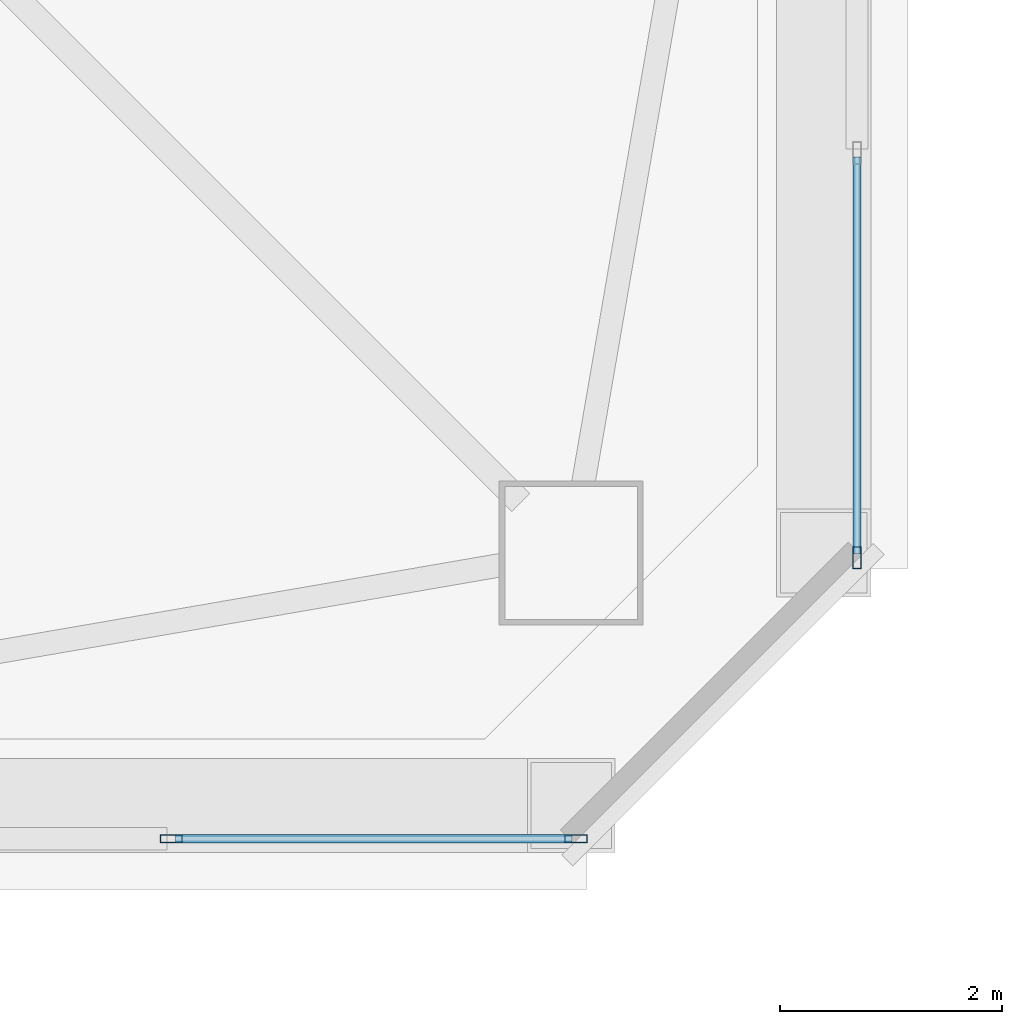
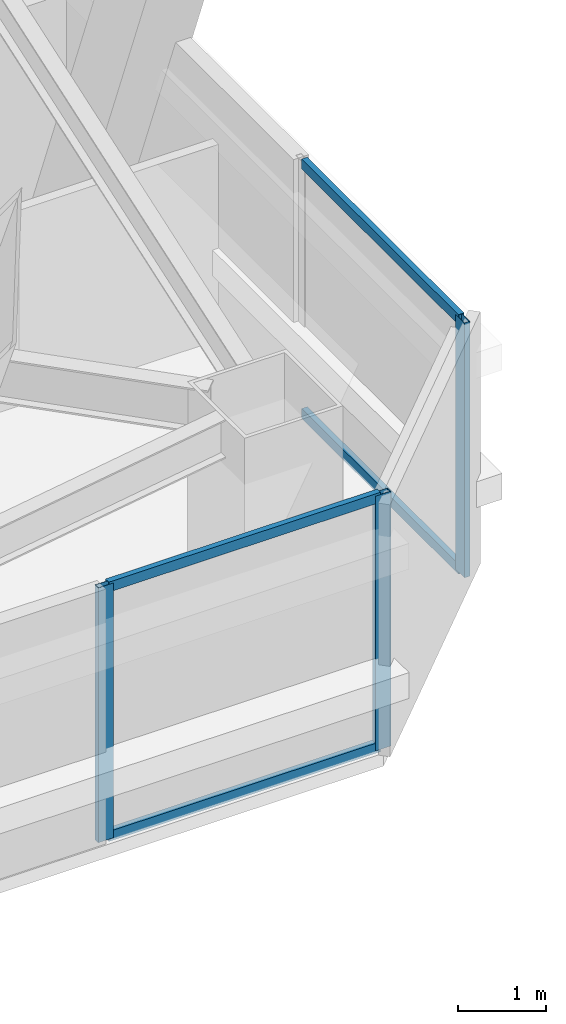
# One storey, part 12 of 54: 7 members, 2 elements without a shape of their own.
"""IFC4 building model written with IfcOpenShell, lengths in metres."""

from ifc_helpers import new_model, si_unit, direction, frame, origin, origin_2d, place, context, subcontext, project, spatial, hollow_rectangle, extrude, material, material_profile, profile_set, type_object, element, aggregate, save


model = new_model("IFC4")

# Units and contexts
model_context = context("Model", 3, precision=1e-05, world=origin(), true_north=direction((0.0, 1.0)))
body_context = subcontext(model_context, "Body", "Model", "MODEL_VIEW")
ifc_project = project(units=[si_unit("LENGTHUNIT", "METRE"), si_unit("AREAUNIT", "SQUARE_METRE"), si_unit("VOLUMEUNIT", "CUBIC_METRE"), si_unit("PLANEANGLEUNIT", "RADIAN"), si_unit("MASSUNIT", "GRAM", prefix="KILO")], contexts=[model_context])

# Site, building, storey
site_placement = place(None, origin())
site = spatial("IfcSite", under=ifc_project, at=site_placement, CompositionType="ELEMENT")
building_placement = place(site_placement, origin())
building = spatial("IfcBuilding", under=site, at=building_placement, Name="Tashvorn Skyway Center", CompositionType="ELEMENT")
storey_placement = place(building_placement, frame((0.0, 0.0, 135.699951171875)))
storey = spatial("IfcBuildingStorey", under=building, at=storey_placement, Name="L36", CompositionType="ELEMENT", Elevation=135.699951171875)

# Curtain wall, members
ifc_material = material(Name="Thermally broken bronze-anodized aluminium 6063-T6", Category="aluminium")
curtain_wall_type = type_object("IfcCurtainWallType", Name="CW-CW-Z3", PredefinedType="NOTDEFINED", material=ifc_material)
curtain_wall_1_placement = place(storey_placement, origin())
curtain_wall_1 = element("IfcCurtainWall", 1, at=curtain_wall_1_placement, inside=storey, type_object=curtain_wall_type, Name="Tower 1 L36 South Unitised Curtain Wall Glazing Group 1", PredefinedType="NOTDEFINED")
ifc_material_profile_1 = material_profile(ifc_material, hollow_rectangle(XDim=0.074951171875, YDim=0.199951171875, WallThickness=0.00439453125, at=origin_2d()), Name="ALU-MULL-75x200")
ifc_profile_set_1 = profile_set([ifc_material_profile_1], Name="Thermally broken bronze-anodized aluminium 6063-T6")
member_type_1 = type_object("IfcMemberType", Name="CWM-CW-Z3", PredefinedType="MULLION", material=ifc_profile_set_1)
member_1_placement = place(storey_placement, frame((58.742431640625, 12.719970703125, 0.0), z_axis=(0.0, 0.0, 1.0), x_axis=(0.0, -1.0, 0.0)))
member_1 = element("IfcMember", 2, at=member_1_placement, type_object=member_type_1, Name="CW-Z3 mullion 1", PredefinedType="MULLION", context=body_context, shape_type="SweptSolid", body=[
    extrude(hollow_rectangle(XDim=0.074951171875, YDim=0.199951171875, WallThickness=0.00439453125, at=origin_2d()), origin(), (0.0, 0.0, 1.0), 3.550048828125),
])
member_2_placement = place(storey_placement, frame((55.088623046875, 12.719970703125, 0.0), z_axis=(0.0, 0.0, 1.0), x_axis=(0.0, -1.0, 0.0)))
member_2 = element("IfcMember", 3, at=member_2_placement, type_object=member_type_1, Name="CW-Z3 mullion 2", PredefinedType="MULLION", context=body_context, shape_type="SweptSolid", body=[
    extrude(hollow_rectangle(XDim=0.074951171875, YDim=0.199951171875, WallThickness=0.00439453125, at=origin_2d()), origin(), (0.0, 0.0, 1.0), 3.550048828125),
])

# Curtain wall, member
curtain_wall_2_placement = place(storey_placement, origin())
curtain_wall_2 = element("IfcCurtainWall", 4, at=curtain_wall_2_placement, inside=storey, type_object=curtain_wall_type, Name="Tower 1 L36 East Unitised Curtain Wall Glazing Group 3", PredefinedType="NOTDEFINED")
member_3_placement = place(storey_placement, frame((61.280029296875, 15.257568359375, 0.0), z_axis=(0.0, 0.0, 1.0), x_axis=(1.0, 0.0, 0.0)))
member_3 = element("IfcMember", 5, at=member_3_placement, type_object=member_type_1, Name="CW-Z3 mullion 2", PredefinedType="MULLION", context=body_context, shape_type="SweptSolid", body=[
    extrude(hollow_rectangle(XDim=0.074951171875, YDim=0.199951171875, WallThickness=0.00439453125, at=origin_2d()), origin(), (0.0, 0.0, 1.0), 3.550048828125),
])

# Member
ifc_material_profile_2 = material_profile(ifc_material, hollow_rectangle(XDim=0.074951171875, YDim=0.139892578125, WallThickness=0.004150390625, at=origin_2d()), Name="ALU-TRAN-75x140")
ifc_profile_set_2 = profile_set([ifc_material_profile_2], Name="Thermally broken bronze-anodized aluminium 6063-T6")
member_type_2 = type_object("IfcMemberType", Name="CWT-CW-Z3", PredefinedType="USERDEFINED", material=ifc_profile_set_2)
member_4_placement = place(storey_placement, frame((58.705078125, 12.719970703125, 0.03759765625), z_axis=(-1.0, 0.0, 0.0), x_axis=(0.0, -1.0, 0.0)))
member_4 = element("IfcMember", 6, at=member_4_placement, type_object=member_type_2, Name="CW-Z3 transom 1.1", ObjectType="TRANSOM", PredefinedType="USERDEFINED", context=body_context, shape_type="SweptSolid", body=[
    extrude(hollow_rectangle(XDim=0.074951171875, YDim=0.139892578125, WallThickness=0.004150390625, at=origin_2d()), origin(), (0.0, 0.0, 1.0), 3.578857421875),
])

member_5_placement = place(storey_placement, frame((58.705078125, 12.719970703125, 3.512451171875), z_axis=(-1.0, 0.0, 0.0), x_axis=(0.0, -1.0, 0.0)))
member_5 = element("IfcMember", 7, at=member_5_placement, type_object=member_type_2, Name="CW-Z3 transom 1.2", ObjectType="TRANSOM", PredefinedType="USERDEFINED", context=body_context, shape_type="SweptSolid", body=[
    extrude(hollow_rectangle(XDim=0.074951171875, YDim=0.139892578125, WallThickness=0.004150390625, at=origin_2d()), origin(), (0.0, 0.0, 1.0), 3.578857421875),
])

aggregate(curtain_wall_1, [member_1, member_2, member_4, member_5])

member_6_placement = place(storey_placement, frame((61.280029296875, 18.873779296875, 0.03759765625), z_axis=(0.0, -1.0, 0.0), x_axis=(1.0, 0.0, 0.0)))
member_6 = element("IfcMember", 8, at=member_6_placement, type_object=member_type_2, Name="CW-Z3 transom 1.1", ObjectType="TRANSOM", PredefinedType="USERDEFINED", context=body_context, shape_type="SweptSolid", body=[
    extrude(hollow_rectangle(XDim=0.074951171875, YDim=0.139892578125, WallThickness=0.004150390625, at=origin_2d()), origin(), (0.0, 0.0, 1.0), 3.578857421875),
])

member_7_placement = place(storey_placement, frame((61.280029296875, 18.873779296875, 3.512451171875), z_axis=(0.0, -1.0, 0.0), x_axis=(1.0, 0.0, 0.0)))
member_7 = element("IfcMember", 9, at=member_7_placement, type_object=member_type_2, Name="CW-Z3 transom 1.2", ObjectType="TRANSOM", PredefinedType="USERDEFINED", context=body_context, shape_type="SweptSolid", body=[
    extrude(hollow_rectangle(XDim=0.074951171875, YDim=0.139892578125, WallThickness=0.004150390625, at=origin_2d()), origin(), (0.0, 0.0, 1.0), 3.578857421875),
])

aggregate(curtain_wall_2, [member_3, member_6, member_7])

save(model, "model.ifc")
